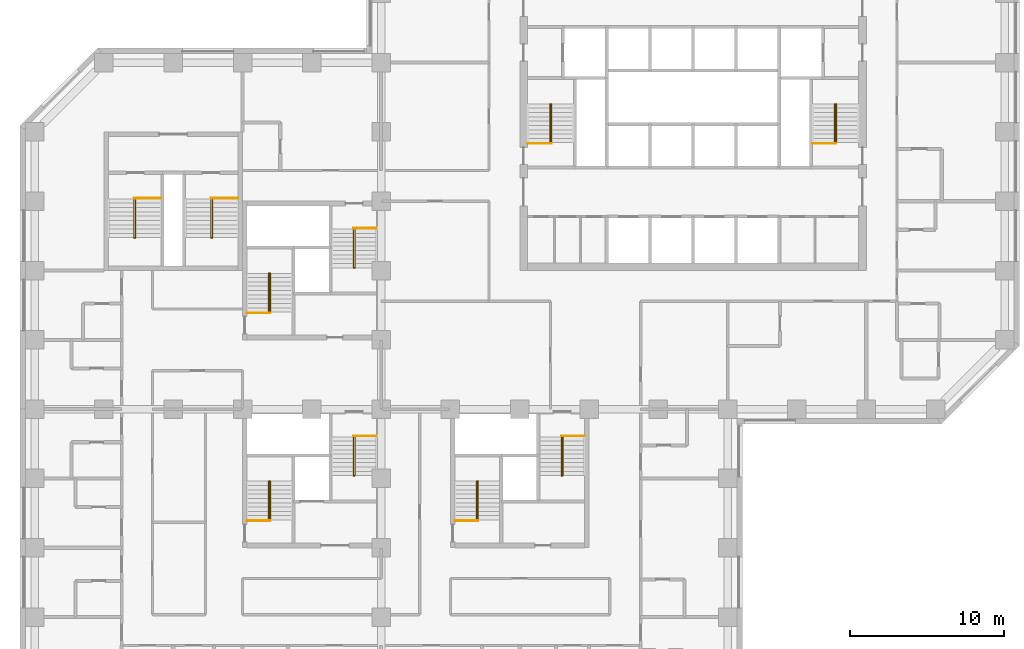
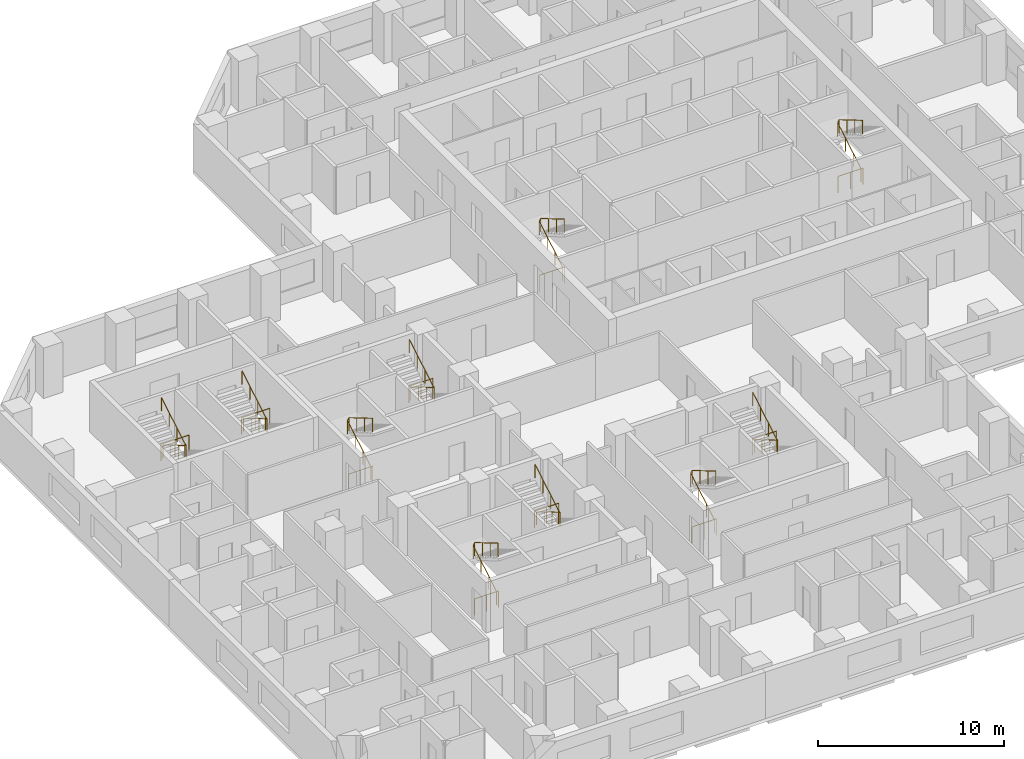
# One storey, part 12 of 12: 20 railings.
"""IFC4 building model written with IfcOpenShell, lengths in metres."""

import ifcopenshell
import ifcopenshell.guid

model = None  # the IFC model being written
_history = None  # IfcOwnerHistory: only IFC2X3 demands one
_inside = {}  # id of a spatial element -> (the spatial element, [elements in it])
_under = {}  # id of a project, library or spatial element -> (it, [spatial elements below it])
_declared = {}  # id of a project -> (the project, [libraries it declares])
_typed = {}  # id of a type object -> (the type object, [elements of that type])
_made_of = {}  # id of a material, layer set ... -> (it, [elements and type objects made of it])


def new_model(schema):
    """Start an empty IFC model of exactly this schema.

    Asked for "IFC4X3", IfcOpenShell would pick the latest addendum, in which some entities
    have other attributes; the version numbers below select the first issue.
    IFC2X3 requires an IfcOwnerHistory on every rooted entity: one is made here for all.
    """
    global model, _history
    if schema == "IFC4X3":
        model = ifcopenshell.file(schema_version=(4, 3, 0, 0))
    else:
        model = ifcopenshell.file(schema=schema)
    _inside.clear()
    _under.clear()
    _declared.clear()
    _typed.clear()
    _made_of.clear()
    _history = None
    if model.schema == "IFC2X3":
        org = make("IfcOrganization", Name="unknown")
        user = make(
            "IfcPersonAndOrganization",
            ThePerson=make("IfcPerson", FamilyName="unknown"),
            TheOrganization=org,
        )
        app = make(
            "IfcApplication",
            ApplicationDeveloper=org,
            Version="unknown",
            ApplicationFullName="unknown",
            ApplicationIdentifier="unknown",
        )
        _history = make(
            "IfcOwnerHistory",
            OwningUser=user,
            OwningApplication=app,
            ChangeAction="ADDED",
            CreationDate=0,
        )
    return model


def make(cls, **values):
    """One entity of the class cls with the attributes given. An attribute that is None is left unset."""
    return model.create_entity(
        cls, **{name: value for name, value in values.items() if value is not None}
    )


def rooted(cls, **values):
    """An entity with a GlobalId (a new one), such as an element, a storey or a relation."""
    return make(cls, GlobalId=ifcopenshell.guid.new(), OwnerHistory=_history, **values)


def si_unit(unit_type, name, prefix=None):
    """IfcSIUnit, for example si_unit("LENGTHUNIT", "METRE", prefix="MILLI")."""
    return make("IfcSIUnit", UnitType=unit_type, Prefix=prefix, Name=name)


def assignment(units):
    """IfcUnitAssignment: the units of a project."""
    return None if units is None else make("IfcUnitAssignment", Units=units)


def point(xyz):
    """IfcCartesianPoint."""
    return None if xyz is None else make("IfcCartesianPoint", Coordinates=xyz)


def direction(xyz):
    """IfcDirection."""
    return None if xyz is None else make("IfcDirection", DirectionRatios=xyz)


def frame(location, z_axis=None, x_axis=None):
    """IfcAxis2Placement3D, a coordinate frame: its origin and axes. An axis left out is left unset."""
    return make(
        "IfcAxis2Placement3D",
        Location=point(location),
        Axis=direction(z_axis),
        RefDirection=direction(x_axis),
    )


def frame_2d(location, x_axis=None):
    """IfcAxis2Placement2D, a coordinate frame in the plane: its origin and x axis."""
    return make(
        "IfcAxis2Placement2D", Location=point(location), RefDirection=direction(x_axis)
    )


def origin():
    """The frame at (0, 0, 0) with its axes left unset."""
    return frame((0.0, 0.0, 0.0))


def origin_2d():
    """The frame at (0, 0) in the plane with its x axis left unset."""
    return frame_2d((0.0, 0.0))


def place(relative_to, where):
    """IfcLocalPlacement: puts the frame where relative to a parent placement (None: the world)."""
    return make(
        "IfcLocalPlacement", PlacementRelTo=relative_to, RelativePlacement=where
    )


def context(
    kind, dimensions, precision=None, world=None, true_north=None, identifier=None
):
    """IfcGeometricRepresentationContext, for example the 3D "Model" context."""
    return make(
        "IfcGeometricRepresentationContext",
        ContextIdentifier=identifier,
        ContextType=kind,
        CoordinateSpaceDimension=dimensions,
        Precision=precision,
        WorldCoordinateSystem=world,
        TrueNorth=true_north,
    )


def subcontext(parent, identifier, kind, view, scale=None):
    """IfcGeometricRepresentationSubContext, for example "Body" below "Model"."""
    return make(
        "IfcGeometricRepresentationSubContext",
        ContextIdentifier=identifier,
        ContextType=kind,
        ParentContext=parent,
        TargetScale=scale,
        TargetView=view,
    )


def project(units=None, contexts=None):
    """IfcProject with its units and contexts."""
    return rooted(
        "IfcProject",
        Name="project",
        RepresentationContexts=contexts,
        UnitsInContext=assignment(units),
    )


def spatial(cls, under=None, at=None, **own):
    """A site, building, storey or space (cls), placed at a placement, below another one or the project."""
    s = rooted(cls, ObjectPlacement=at, **own)
    if under is not None:
        _under.setdefault(under.id(), (under, []))[1].append(s)
    return s


def profile(cls, at=None, kind="AREA", **sizes):
    """A parametric profile (cls). Its sizes go by their IFC names, for example OverallWidth=200.0."""
    return make(cls, ProfileType=kind, Position=at, **sizes)


def circle(**sizes):
    """IfcCircleProfileDef."""
    return profile("IfcCircleProfileDef", **sizes)


def extrude(swept, where, along, depth):
    """IfcExtrudedAreaSolid: the profile swept, set in the frame where, extruded along a direction by depth."""
    return make(
        "IfcExtrudedAreaSolid",
        SweptArea=swept,
        Position=where,
        ExtrudedDirection=direction(along),
        Depth=depth,
    )


def shape(context_of_items, identifier, shape_type, items):
    """IfcShapeRepresentation: the items that make up one representation, for example the "Body"."""
    return make(
        "IfcShapeRepresentation",
        ContextOfItems=context_of_items,
        RepresentationIdentifier=identifier,
        RepresentationType=shape_type,
        Items=items,
    )


def material(Name=None, Category=None):
    """IfcMaterial."""
    return make("IfcMaterial", Name=Name, Category=Category)


def made_of(thing, what):
    """Note that an element or type object is made of a material, layer set ...; save() writes the relation."""
    if what is not None:
        _made_of.setdefault(what.id(), (what, []))[1].append(thing)
    return thing


def type_object(cls, material=None, **own):
    """A type object (cls), such as IfcWallType, which elements share."""
    return made_of(rooted(cls, **own), material)


def element(
    cls,
    number,
    at=None,
    inside=None,
    cuts=None,
    type_object=None,
    material=None,
    context=None,
    identifier="Body",
    shape_type=None,
    held_by="IfcProductDefinitionShape",
    body=None,
    shapes=None,
    **own,
):
    """One element of the class cls, such as IfcWall. Its Tag is "e" and its number.

    at: its placement. inside: the storey or other place that contains it. cuts: it is an
    opening in that element (IfcRelVoidsElement). A single representation is given by context,
    identifier, shape_type and body (its items); several are given by shapes. held_by: the class
    of the entity that holds the representations. save() writes the other relations.
    """
    e = rooted(cls, Tag="e%d" % number, ObjectPlacement=at, **own)
    if body is not None:
        shapes = [shape(context, identifier, shape_type, body)]
    if shapes is not None:
        e.Representation = make(held_by, Representations=shapes)
    if inside is not None:
        _inside.setdefault(inside.id(), (inside, []))[1].append(e)
    if cuts is not None:
        rooted(
            "IfcRelVoidsElement", RelatingBuildingElement=cuts, RelatedOpeningElement=e
        )
    if type_object is not None:
        _typed.setdefault(type_object.id(), (type_object, []))[1].append(e)
    return made_of(e, material)


def aggregate(whole, parts):
    """IfcRelAggregates: a whole, such as a stair, and the parts it consists of."""
    return rooted("IfcRelAggregates", RelatingObject=whole, RelatedObjects=parts)


def save(model, path):
    """Write the relations noted so far, then the file.

    IfcRelAggregates (storeys below a building ...), IfcRelContainedInSpatialStructure (elements
    in a storey), IfcRelDefinesByType, IfcRelAssociatesMaterial and IfcRelDeclares: one each for
    every whole, place, type object, material and project.
    """
    for whole, parts in _under.values():
        aggregate(whole, parts)
    for where, things in _inside.values():
        rooted(
            "IfcRelContainedInSpatialStructure",
            RelatedElements=things,
            RelatingStructure=where,
        )
    for kind, things in _typed.values():
        rooted("IfcRelDefinesByType", RelatedObjects=things, RelatingType=kind)
    for what, things in _made_of.values():
        rooted("IfcRelAssociatesMaterial", RelatedObjects=things, RelatingMaterial=what)
    for by, libraries in _declared.values():
        rooted("IfcRelDeclares", RelatingContext=by, RelatedDefinitions=libraries)
    model.write(path)


model = new_model("IFC4")

# Units and contexts
model_context = context("Model", 3, precision=1e-05, world=origin(), true_north=direction((0.0, 1.0)))
body_context = subcontext(model_context, "Body", "Model", "MODEL_VIEW")
ifc_project = project(units=[si_unit("LENGTHUNIT", "METRE"), si_unit("AREAUNIT", "SQUARE_METRE"), si_unit("VOLUMEUNIT", "CUBIC_METRE"), si_unit("PLANEANGLEUNIT", "RADIAN"), si_unit("MASSUNIT", "GRAM", prefix="KILO")], contexts=[model_context])

# Site, building, storey
site_placement = place(None, origin())
site = spatial("IfcSite", under=ifc_project, at=site_placement, CompositionType="ELEMENT")
building_placement = place(site_placement, origin())
building = spatial("IfcBuilding", under=site, at=building_placement, Name="Quoin Convention Tower", CompositionType="ELEMENT")
storey_placement = place(building_placement, frame((0.0, 0.0, 56.10009765625)))
storey = spatial("IfcBuildingStorey", under=building, at=storey_placement, Name="L14", CompositionType="ELEMENT", Elevation=56.10009765625)

# Railings
ifc_material = material(Name="Stainless steel", Category="steel")
railing_type_1 = type_object("IfcRailingType", Name="Stair handrail 900", PredefinedType="HANDRAIL", material=ifc_material)
for number, where, name in (
    (1, (46.955078125, 57.800048828125, 0.164794921875), "SD1 handrail 1"),
    (2, (65.455078125, 57.800048828125, 0.164794921875), "SD2 handrail 1"),
    (3, (28.705078125, 46.800048828125, 0.164794921875), "SD3 handrail 1"),
):
    element("IfcRailing", number, at=place(storey_placement, frame(where)), inside=storey, type_object=railing_type_1, Name=name, PredefinedType="HANDRAIL", context=body_context, shape_type="SweptSolid", body=[
        extrude(circle(Radius=0.02392578125, at=origin_2d()), frame((0.0, 0.0, 0.8759765625), z_axis=(0.0, 0.86152411907, 0.507716645641), x_axis=(-1.0, 0.0, 0.0)), (0.0, 0.0, 1.0), 2.925048828125),
        extrude(circle(Radius=0.02392578125, at=origin_2d()), frame((0.0, 2.52001953125, 2.36083984375), z_axis=(0.478123724308, 0.0, 0.878292493566), x_axis=(0.0, 1.0, 0.0)), (0.0, 0.0, 1.0), 0.18798828125),
        extrude(circle(Radius=0.02392578125, at=origin_2d()), frame((0.08984375, 2.52001953125, 2.52587890625), z_axis=(0.0, -0.861560626758, 0.507654692109), x_axis=(1.0, 0.0, 0.0)), (0.0, 0.0, 1.0), 2.925048828125),
        extrude(circle(Radius=0.02099609375, at=origin_2d()), origin(), (0.0, 0.0, 1.0), 0.851806640625),
        extrude(circle(Radius=0.02099609375, at=origin_2d()), frame((0.0, 0.840087890625, 0.4951171875)), (0.0, 0.0, 1.0), 0.851806640625),
        extrude(circle(Radius=0.02099609375, at=origin_2d()), frame((0.0, 1.679931640625, 0.989990234375)), (0.0, 0.0, 1.0), 0.851806640625),
        extrude(circle(Radius=0.02099609375, at=origin_2d()), frame((0.0, 2.52001953125, 1.485107421875)), (0.0, 0.0, 1.0), 0.851806640625),
        extrude(circle(Radius=0.02099609375, at=origin_2d()), frame((0.08984375, 2.52001953125, 1.650146484375)), (0.0, 0.0, 1.0), 0.851806640625),
        extrude(circle(Radius=0.02099609375, at=origin_2d()), frame((0.08984375, 1.679931640625, 2.14501953125)), (0.0, 0.0, 1.0), 0.851806640625),
        extrude(circle(Radius=0.02099609375, at=origin_2d()), frame((0.08984375, 0.840087890625, 2.64013671875)), (0.0, 0.0, 1.0), 0.851806640625),
        extrude(circle(Radius=0.02099609375, at=origin_2d()), frame((0.08984375, 0.0, 3.135009765625)), (0.0, 0.0, 1.0), 0.851806640625),
    ])
railing_1_placement = place(storey_placement, frame((34.294921875, 52.199951171875, 0.164794921875)))
element("IfcRailing", 4, at=railing_1_placement, inside=storey, type_object=railing_type_1, Name="SD4 handrail 1", PredefinedType="HANDRAIL", context=body_context, shape_type="SweptSolid", body=[
    extrude(circle(Radius=0.02392578125, at=origin_2d()), frame((0.0, 0.0, 0.8759765625), z_axis=(0.0, -0.86152411907, 0.507716645641), x_axis=(1.0, 0.0, 0.0)), (0.0, 0.0, 1.0), 2.925048828125),
    extrude(circle(Radius=0.02392578125, at=origin_2d()), frame((0.0, -2.52001953125, 2.36083984375), z_axis=(-0.478123724308, 0.0, 0.878292493566), x_axis=(0.0, -1.0, 0.0)), (0.0, 0.0, 1.0), 0.18798828125),
    extrude(circle(Radius=0.02392578125, at=origin_2d()), frame((-0.08984375, -2.52001953125, 2.52587890625), z_axis=(0.0, 0.861560626758, 0.507654692109), x_axis=(-1.0, 0.0, 0.0)), (0.0, 0.0, 1.0), 2.925048828125),
    extrude(circle(Radius=0.02099609375, at=origin_2d()), origin(), (0.0, 0.0, 1.0), 0.851806640625),
    extrude(circle(Radius=0.02099609375, at=origin_2d()), frame((0.0, -0.840087890625, 0.4951171875)), (0.0, 0.0, 1.0), 0.851806640625),
    extrude(circle(Radius=0.02099609375, at=origin_2d()), frame((0.0, -1.679931640625, 0.989990234375)), (0.0, 0.0, 1.0), 0.851806640625),
    extrude(circle(Radius=0.02099609375, at=origin_2d()), frame((0.0, -2.52001953125, 1.485107421875)), (0.0, 0.0, 1.0), 0.851806640625),
    extrude(circle(Radius=0.02099609375, at=origin_2d()), frame((-0.08984375, -2.52001953125, 1.650146484375)), (0.0, 0.0, 1.0), 0.851806640625),
    extrude(circle(Radius=0.02099609375, at=origin_2d()), frame((-0.08984375, -1.679931640625, 2.14501953125)), (0.0, 0.0, 1.0), 0.851806640625),
    extrude(circle(Radius=0.02099609375, at=origin_2d()), frame((-0.08984375, -0.840087890625, 2.64013671875)), (0.0, 0.0, 1.0), 0.851806640625),
    extrude(circle(Radius=0.02099609375, at=origin_2d()), frame((-0.08984375, 0.0, 3.135009765625)), (0.0, 0.0, 1.0), 0.851806640625),
])
railing_2_placement = place(storey_placement, frame((42.205078125, 33.300048828125, 0.164794921875)))
element("IfcRailing", 5, at=railing_2_placement, inside=storey, type_object=railing_type_1, Name="SD5 handrail 1", PredefinedType="HANDRAIL", context=body_context, shape_type="SweptSolid", body=[
    extrude(circle(Radius=0.02392578125, at=origin_2d()), frame((0.0, 0.0, 0.8759765625), z_axis=(0.0, 0.86152411907, 0.507716645641), x_axis=(-1.0, 0.0, 0.0)), (0.0, 0.0, 1.0), 2.925048828125),
    extrude(circle(Radius=0.02392578125, at=origin_2d()), frame((0.0, 2.52001953125, 2.36083984375), z_axis=(0.478123724308, 0.0, 0.878292493566), x_axis=(0.0, 1.0, 0.0)), (0.0, 0.0, 1.0), 0.18798828125),
    extrude(circle(Radius=0.02392578125, at=origin_2d()), frame((0.08984375, 2.52001953125, 2.52587890625), z_axis=(0.0, -0.861560626758, 0.507654692109), x_axis=(1.0, 0.0, 0.0)), (0.0, 0.0, 1.0), 2.925048828125),
    extrude(circle(Radius=0.02099609375, at=origin_2d()), origin(), (0.0, 0.0, 1.0), 0.851806640625),
    extrude(circle(Radius=0.02099609375, at=origin_2d()), frame((0.0, 0.840087890625, 0.4951171875)), (0.0, 0.0, 1.0), 0.851806640625),
    extrude(circle(Radius=0.02099609375, at=origin_2d()), frame((0.0, 1.679931640625, 0.989990234375)), (0.0, 0.0, 1.0), 0.851806640625),
    extrude(circle(Radius=0.02099609375, at=origin_2d()), frame((0.0, 2.52001953125, 1.485107421875)), (0.0, 0.0, 1.0), 0.851806640625),
    extrude(circle(Radius=0.02099609375, at=origin_2d()), frame((0.08984375, 2.52001953125, 1.650146484375)), (0.0, 0.0, 1.0), 0.851806640625),
    extrude(circle(Radius=0.02099609375, at=origin_2d()), frame((0.08984375, 1.679931640625, 2.14501953125)), (0.0, 0.0, 1.0), 0.851806640625),
    extrude(circle(Radius=0.02099609375, at=origin_2d()), frame((0.08984375, 0.840087890625, 2.64013671875)), (0.0, 0.0, 1.0), 0.851806640625),
    extrude(circle(Radius=0.02099609375, at=origin_2d()), frame((0.08984375, 0.0, 3.135009765625)), (0.0, 0.0, 1.0), 0.851806640625),
])
railing_3_placement = place(storey_placement, frame((47.794921875, 38.699951171875, 0.164794921875)))
element("IfcRailing", 6, at=railing_3_placement, inside=storey, type_object=railing_type_1, Name="SD6 handrail 1", PredefinedType="HANDRAIL", context=body_context, shape_type="SweptSolid", body=[
    extrude(circle(Radius=0.02392578125, at=origin_2d()), frame((0.0, 0.0, 0.8759765625), z_axis=(0.0, -0.86152411907, 0.507716645641), x_axis=(1.0, 0.0, 0.0)), (0.0, 0.0, 1.0), 2.925048828125),
    extrude(circle(Radius=0.02392578125, at=origin_2d()), frame((0.0, -2.52001953125, 2.36083984375), z_axis=(-0.478123724308, 0.0, 0.878292493566), x_axis=(0.0, -1.0, 0.0)), (0.0, 0.0, 1.0), 0.18798828125),
    extrude(circle(Radius=0.02392578125, at=origin_2d()), frame((-0.08984375, -2.52001953125, 2.52587890625), z_axis=(0.0, 0.861560626758, 0.507654692109), x_axis=(-1.0, 0.0, 0.0)), (0.0, 0.0, 1.0), 2.925048828125),
    extrude(circle(Radius=0.02099609375, at=origin_2d()), origin(), (0.0, 0.0, 1.0), 0.851806640625),
    extrude(circle(Radius=0.02099609375, at=origin_2d()), frame((0.0, -0.840087890625, 0.4951171875)), (0.0, 0.0, 1.0), 0.851806640625),
    extrude(circle(Radius=0.02099609375, at=origin_2d()), frame((0.0, -1.679931640625, 0.989990234375)), (0.0, 0.0, 1.0), 0.851806640625),
    extrude(circle(Radius=0.02099609375, at=origin_2d()), frame((0.0, -2.52001953125, 1.485107421875)), (0.0, 0.0, 1.0), 0.851806640625),
    extrude(circle(Radius=0.02099609375, at=origin_2d()), frame((-0.08984375, -2.52001953125, 1.650146484375)), (0.0, 0.0, 1.0), 0.851806640625),
    extrude(circle(Radius=0.02099609375, at=origin_2d()), frame((-0.08984375, -1.679931640625, 2.14501953125)), (0.0, 0.0, 1.0), 0.851806640625),
    extrude(circle(Radius=0.02099609375, at=origin_2d()), frame((-0.08984375, -0.840087890625, 2.64013671875)), (0.0, 0.0, 1.0), 0.851806640625),
    extrude(circle(Radius=0.02099609375, at=origin_2d()), frame((-0.08984375, 0.0, 3.135009765625)), (0.0, 0.0, 1.0), 0.851806640625),
])
railing_4_placement = place(storey_placement, frame((28.705078125, 33.300048828125, 0.164794921875)))
element("IfcRailing", 7, at=railing_4_placement, inside=storey, type_object=railing_type_1, Name="SD7 handrail 1", PredefinedType="HANDRAIL", context=body_context, shape_type="SweptSolid", body=[
    extrude(circle(Radius=0.02392578125, at=origin_2d()), frame((0.0, 0.0, 0.8759765625), z_axis=(0.0, 0.86152411907, 0.507716645641), x_axis=(-1.0, 0.0, 0.0)), (0.0, 0.0, 1.0), 2.925048828125),
    extrude(circle(Radius=0.02392578125, at=origin_2d()), frame((0.0, 2.52001953125, 2.36083984375), z_axis=(0.478123724308, 0.0, 0.878292493566), x_axis=(0.0, 1.0, 0.0)), (0.0, 0.0, 1.0), 0.18798828125),
    extrude(circle(Radius=0.02392578125, at=origin_2d()), frame((0.08984375, 2.52001953125, 2.52587890625), z_axis=(0.0, -0.861560626758, 0.507654692109), x_axis=(1.0, 0.0, 0.0)), (0.0, 0.0, 1.0), 2.925048828125),
    extrude(circle(Radius=0.02099609375, at=origin_2d()), origin(), (0.0, 0.0, 1.0), 0.851806640625),
    extrude(circle(Radius=0.02099609375, at=origin_2d()), frame((0.0, 0.840087890625, 0.4951171875)), (0.0, 0.0, 1.0), 0.851806640625),
    extrude(circle(Radius=0.02099609375, at=origin_2d()), frame((0.0, 1.679931640625, 0.989990234375)), (0.0, 0.0, 1.0), 0.851806640625),
    extrude(circle(Radius=0.02099609375, at=origin_2d()), frame((0.0, 2.52001953125, 1.485107421875)), (0.0, 0.0, 1.0), 0.851806640625),
    extrude(circle(Radius=0.02099609375, at=origin_2d()), frame((0.08984375, 2.52001953125, 1.650146484375)), (0.0, 0.0, 1.0), 0.851806640625),
    extrude(circle(Radius=0.02099609375, at=origin_2d()), frame((0.08984375, 1.679931640625, 2.14501953125)), (0.0, 0.0, 1.0), 0.851806640625),
    extrude(circle(Radius=0.02099609375, at=origin_2d()), frame((0.08984375, 0.840087890625, 2.64013671875)), (0.0, 0.0, 1.0), 0.851806640625),
    extrude(circle(Radius=0.02099609375, at=origin_2d()), frame((0.08984375, 0.0, 3.135009765625)), (0.0, 0.0, 1.0), 0.851806640625),
])
for number, where, name in (
    (8, (34.294921875, 38.699951171875, 0.164794921875), "SD8 handrail 1"),
    (9, (20.044921875, 54.14990234375, 0.164794921875), "SD11 handrail 1"),
    (10, (25.044921875, 54.14990234375, 0.164794921875), "SD12 handrail 1"),
):
    element("IfcRailing", number, at=place(storey_placement, frame(where)), inside=storey, type_object=railing_type_1, Name=name, PredefinedType="HANDRAIL", context=body_context, shape_type="SweptSolid", body=[
        extrude(circle(Radius=0.02392578125, at=origin_2d()), frame((0.0, 0.0, 0.8759765625), z_axis=(0.0, -0.86152411907, 0.507716645641), x_axis=(1.0, 0.0, 0.0)), (0.0, 0.0, 1.0), 2.925048828125),
        extrude(circle(Radius=0.02392578125, at=origin_2d()), frame((0.0, -2.52001953125, 2.36083984375), z_axis=(-0.478123724308, 0.0, 0.878292493566), x_axis=(0.0, -1.0, 0.0)), (0.0, 0.0, 1.0), 0.18798828125),
        extrude(circle(Radius=0.02392578125, at=origin_2d()), frame((-0.08984375, -2.52001953125, 2.52587890625), z_axis=(0.0, 0.861560626758, 0.507654692109), x_axis=(-1.0, 0.0, 0.0)), (0.0, 0.0, 1.0), 2.925048828125),
        extrude(circle(Radius=0.02099609375, at=origin_2d()), origin(), (0.0, 0.0, 1.0), 0.851806640625),
        extrude(circle(Radius=0.02099609375, at=origin_2d()), frame((0.0, -0.840087890625, 0.4951171875)), (0.0, 0.0, 1.0), 0.851806640625),
        extrude(circle(Radius=0.02099609375, at=origin_2d()), frame((0.0, -1.679931640625, 0.989990234375)), (0.0, 0.0, 1.0), 0.851806640625),
        extrude(circle(Radius=0.02099609375, at=origin_2d()), frame((0.0, -2.52001953125, 1.485107421875)), (0.0, 0.0, 1.0), 0.851806640625),
        extrude(circle(Radius=0.02099609375, at=origin_2d()), frame((-0.08984375, -2.52001953125, 1.650146484375)), (0.0, 0.0, 1.0), 0.851806640625),
        extrude(circle(Radius=0.02099609375, at=origin_2d()), frame((-0.08984375, -1.679931640625, 2.14501953125)), (0.0, 0.0, 1.0), 0.851806640625),
        extrude(circle(Radius=0.02099609375, at=origin_2d()), frame((-0.08984375, -0.840087890625, 2.64013671875)), (0.0, 0.0, 1.0), 0.851806640625),
        extrude(circle(Radius=0.02099609375, at=origin_2d()), frame((-0.08984375, 0.0, 3.135009765625)), (0.0, 0.0, 1.0), 0.851806640625),
    ])
railing_type_2 = type_object("IfcRailingType", Name="Stair top guard 1100", PredefinedType="GUARDRAIL", material=ifc_material)
for number, where, name in (
    (11, (45.5, 57.75, 0.0), "SD1 top guard"),
    (12, (64.0, 57.75, 0.0), "SD2 top guard"),
):
    element("IfcRailing", number, at=place(storey_placement, frame(where)), inside=storey, type_object=railing_type_2, Name=name, PredefinedType="GUARDRAIL", context=body_context, shape_type="SweptSolid", body=[
        extrude(circle(Radius=0.02392578125, at=origin_2d()), frame((0.0, 0.0, 1.076171875), z_axis=(1.0, 0.0, 0.0), x_axis=(0.0, 1.0, 0.0)), (0.0, 0.0, 1.0), 1.544921875),
        extrude(circle(Radius=0.02099609375, at=origin_2d()), origin(), (0.0, 0.0, 1.0), 1.052001953125),
        extrude(circle(Radius=0.02099609375, at=origin_2d()), frame((0.7724609375, 0.0, 0.0)), (0.0, 0.0, 1.0), 1.052001953125),
        extrude(circle(Radius=0.02099609375, at=origin_2d()), frame((1.544921875, 0.0, 0.0)), (0.0, 0.0, 1.0), 1.052001953125),
    ])
railing_5_placement = place(storey_placement, frame((27.300048828125, 46.75, 0.0)))
element("IfcRailing", 13, at=railing_5_placement, inside=storey, type_object=railing_type_2, Name="SD3 top guard", PredefinedType="GUARDRAIL", context=body_context, shape_type="SweptSolid", body=[
    extrude(circle(Radius=0.02392578125, at=origin_2d()), frame((0.0, 0.0, 1.076171875), z_axis=(1.0, 0.0, 0.0), x_axis=(0.0, 1.0, 0.0)), (0.0, 0.0, 1.0), 1.494873046875),
    extrude(circle(Radius=0.02099609375, at=origin_2d()), origin(), (0.0, 0.0, 1.0), 1.052001953125),
    extrude(circle(Radius=0.02099609375, at=origin_2d()), frame((0.74755859375, 0.0, 0.0)), (0.0, 0.0, 1.0), 1.052001953125),
    extrude(circle(Radius=0.02099609375, at=origin_2d()), frame((1.494873046875, 0.0, 0.0)), (0.0, 0.0, 1.0), 1.052001953125),
])
railing_6_placement = place(storey_placement, frame((35.699951171875, 52.25, 0.0)))
element("IfcRailing", 14, at=railing_6_placement, inside=storey, type_object=railing_type_2, Name="SD4 top guard", PredefinedType="GUARDRAIL", context=body_context, shape_type="SweptSolid", body=[
    extrude(circle(Radius=0.02392578125, at=origin_2d()), frame((0.0, 0.0, 1.076171875), z_axis=(-1.0, 0.0, 0.0), x_axis=(0.0, -1.0, 0.0)), (0.0, 0.0, 1.0), 1.494873046875),
    extrude(circle(Radius=0.02099609375, at=origin_2d()), origin(), (0.0, 0.0, 1.0), 1.052001953125),
    extrude(circle(Radius=0.02099609375, at=origin_2d()), frame((-0.74755859375, 0.0, 0.0)), (0.0, 0.0, 1.0), 1.052001953125),
    extrude(circle(Radius=0.02099609375, at=origin_2d()), frame((-1.494873046875, 0.0, 0.0)), (0.0, 0.0, 1.0), 1.052001953125),
])
railing_7_placement = place(storey_placement, frame((40.800048828125, 33.25, 0.0)))
element("IfcRailing", 15, at=railing_7_placement, inside=storey, type_object=railing_type_2, Name="SD5 top guard", PredefinedType="GUARDRAIL", context=body_context, shape_type="SweptSolid", body=[
    extrude(circle(Radius=0.02392578125, at=origin_2d()), frame((0.0, 0.0, 1.076171875), z_axis=(1.0, 0.0, 0.0), x_axis=(0.0, 1.0, 0.0)), (0.0, 0.0, 1.0), 1.494873046875),
    extrude(circle(Radius=0.02099609375, at=origin_2d()), origin(), (0.0, 0.0, 1.0), 1.052001953125),
    extrude(circle(Radius=0.02099609375, at=origin_2d()), frame((0.74755859375, 0.0, 0.0)), (0.0, 0.0, 1.0), 1.052001953125),
    extrude(circle(Radius=0.02099609375, at=origin_2d()), frame((1.494873046875, 0.0, 0.0)), (0.0, 0.0, 1.0), 1.052001953125),
])
railing_8_placement = place(storey_placement, frame((49.199951171875, 38.75, 0.0)))
element("IfcRailing", 16, at=railing_8_placement, inside=storey, type_object=railing_type_2, Name="SD6 top guard", PredefinedType="GUARDRAIL", context=body_context, shape_type="SweptSolid", body=[
    extrude(circle(Radius=0.02392578125, at=origin_2d()), frame((0.0, 0.0, 1.076171875), z_axis=(-1.0, 0.0, 0.0), x_axis=(0.0, -1.0, 0.0)), (0.0, 0.0, 1.0), 1.494873046875),
    extrude(circle(Radius=0.02099609375, at=origin_2d()), origin(), (0.0, 0.0, 1.0), 1.052001953125),
    extrude(circle(Radius=0.02099609375, at=origin_2d()), frame((-0.74755859375, 0.0, 0.0)), (0.0, 0.0, 1.0), 1.052001953125),
    extrude(circle(Radius=0.02099609375, at=origin_2d()), frame((-1.494873046875, 0.0, 0.0)), (0.0, 0.0, 1.0), 1.052001953125),
])
railing_9_placement = place(storey_placement, frame((27.300048828125, 33.25, 0.0)))
element("IfcRailing", 17, at=railing_9_placement, inside=storey, type_object=railing_type_2, Name="SD7 top guard", PredefinedType="GUARDRAIL", context=body_context, shape_type="SweptSolid", body=[
    extrude(circle(Radius=0.02392578125, at=origin_2d()), frame((0.0, 0.0, 1.076171875), z_axis=(1.0, 0.0, 0.0), x_axis=(0.0, 1.0, 0.0)), (0.0, 0.0, 1.0), 1.494873046875),
    extrude(circle(Radius=0.02099609375, at=origin_2d()), origin(), (0.0, 0.0, 1.0), 1.052001953125),
    extrude(circle(Radius=0.02099609375, at=origin_2d()), frame((0.74755859375, 0.0, 0.0)), (0.0, 0.0, 1.0), 1.052001953125),
    extrude(circle(Radius=0.02099609375, at=origin_2d()), frame((1.494873046875, 0.0, 0.0)), (0.0, 0.0, 1.0), 1.052001953125),
])
railing_10_placement = place(storey_placement, frame((35.699951171875, 38.75, 0.0)))
element("IfcRailing", 18, at=railing_10_placement, inside=storey, type_object=railing_type_2, Name="SD8 top guard", PredefinedType="GUARDRAIL", context=body_context, shape_type="SweptSolid", body=[
    extrude(circle(Radius=0.02392578125, at=origin_2d()), frame((0.0, 0.0, 1.076171875), z_axis=(-1.0, 0.0, 0.0), x_axis=(0.0, -1.0, 0.0)), (0.0, 0.0, 1.0), 1.494873046875),
    extrude(circle(Radius=0.02099609375, at=origin_2d()), origin(), (0.0, 0.0, 1.0), 1.052001953125),
    extrude(circle(Radius=0.02099609375, at=origin_2d()), frame((-0.74755859375, 0.0, 0.0)), (0.0, 0.0, 1.0), 1.052001953125),
    extrude(circle(Radius=0.02099609375, at=origin_2d()), frame((-1.494873046875, 0.0, 0.0)), (0.0, 0.0, 1.0), 1.052001953125),
])
for number, where, name in (
    (19, (21.699951171875, 54.199951171875, 0.0), "SD11 top guard"),
    (20, (26.699951171875, 54.199951171875, 0.0), "SD12 top guard"),
):
    element("IfcRailing", number, at=place(storey_placement, frame(where)), inside=storey, type_object=railing_type_2, Name=name, PredefinedType="GUARDRAIL", context=body_context, shape_type="SweptSolid", body=[
        extrude(circle(Radius=0.02392578125, at=origin_2d()), frame((0.0, 0.0, 1.076171875), z_axis=(-1.0, 0.0, 0.0), x_axis=(0.0, -1.0, 0.0)), (0.0, 0.0, 1.0), 1.744873046875),
        extrude(circle(Radius=0.02099609375, at=origin_2d()), origin(), (0.0, 0.0, 1.0), 1.052001953125),
        extrude(circle(Radius=0.02099609375, at=origin_2d()), frame((-0.87255859375, 0.0, 0.0)), (0.0, 0.0, 1.0), 1.052001953125),
        extrude(circle(Radius=0.02099609375, at=origin_2d()), frame((-1.744873046875, 0.0, 0.0)), (0.0, 0.0, 1.0), 1.052001953125),
    ])

save(model, "model.ifc")
